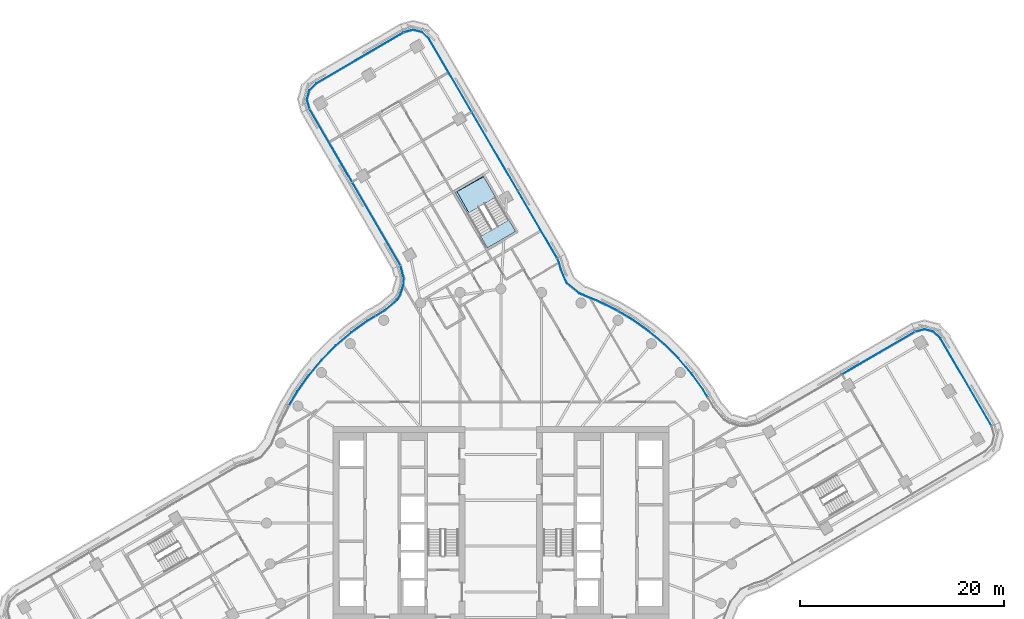
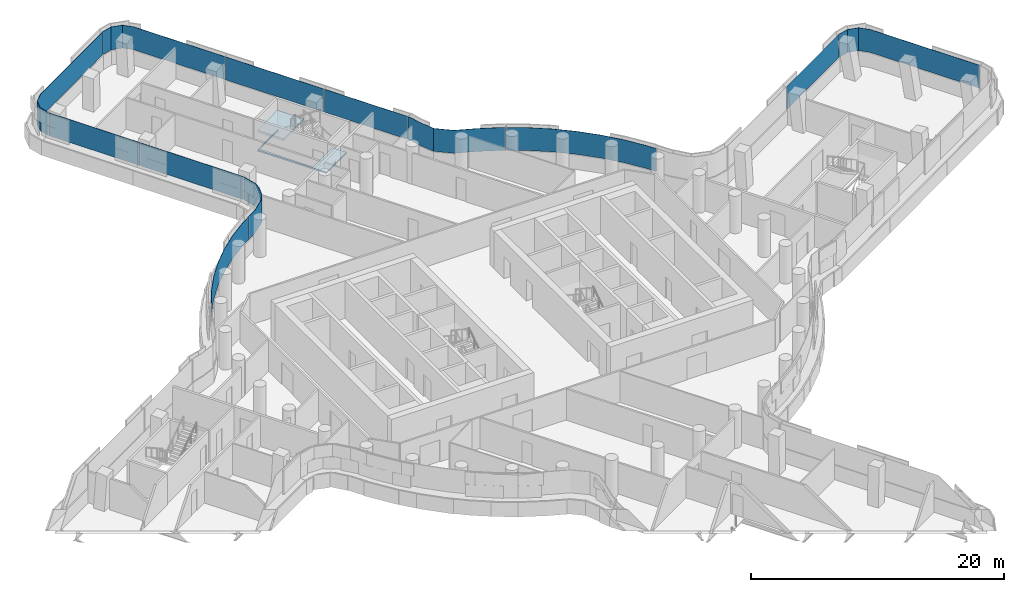
# One storey, part 20 of 35: 12 plates, 2 slabs, 8 elements without a shape of their own.
"""IFC4 building model written with IfcOpenShell, lengths in metres."""

from ifc_helpers import new_model, si_unit, direction, frame, origin, place, context, subcontext, project, spatial, polyline, outline, extrude, material, layer, layer_set, type_object, element, aggregate, save


model = new_model("IFC4")

# Units and contexts
model_context = context("Model", 3, precision=1e-05, world=origin(), true_north=direction((0.0, 1.0)))
body_context = subcontext(model_context, "Body", "Model", "MODEL_VIEW")
ifc_project = project(units=[si_unit("LENGTHUNIT", "METRE"), si_unit("AREAUNIT", "SQUARE_METRE"), si_unit("VOLUMEUNIT", "CUBIC_METRE"), si_unit("PLANEANGLEUNIT", "RADIAN"), si_unit("MASSUNIT", "GRAM", prefix="KILO")], contexts=[model_context])

# Site, building, storey
site_placement = place(None, origin())
site = spatial("IfcSite", under=ifc_project, at=site_placement, CompositionType="ELEMENT")
building_placement = place(site_placement, origin())
building = spatial("IfcBuilding", under=site, at=building_placement, Name="Tamarind Cross Interchange Tower", CompositionType="ELEMENT")
storey_placement = place(building_placement, frame((0.0, 0.0, 144.25)))
storey = spatial("IfcBuildingStorey", under=building, at=storey_placement, Name="L35", CompositionType="ELEMENT", Elevation=144.25)

# Slab
ifc_material_1 = material(Name="Concrete C35", Category="concrete")
ifc_layer_1 = layer(ifc_material_1, 0.139892578125)
ifc_layer_set_1 = layer_set([ifc_layer_1], Name="Concrete C35")
slab_type_1 = type_object("IfcSlabType", Name="Composite slab 140 Concrete C35", PredefinedType="FLOOR", material=ifc_layer_set_1)
slab_1_placement = place(storey_placement, frame((0.0, 0.0, -0.139892578125)))
element("IfcSlab", 1, at=slab_1_placement, inside=storey, type_object=slab_type_1, Name="Floor slab L35", PredefinedType="FLOOR", context=body_context, shape_type="SweptSolid", body=[
    extrude(outline(polyline([(-1.313720703125, 27.023193359375), (1.44921875, 28.6376953125), (0.787109375, 29.7705078125), (-1.876220703125, 28.21435546875), (-4.30078125, 32.54296875), (-1.68798828125, 34.00634765625), (-1.7294921875, 34.0771484375), (-4.4921875, 32.462890625), (-1.313720703125, 27.023193359375)])), origin(), (0.0, 0.0, 1.0), 0.139892578125),
])

# Stair, slab
ifc_material_2 = material(Name="Exit stair")
stair_type = type_object("IfcStairType", Name="Exit stair", PredefinedType="HALF_TURN_STAIR", material=ifc_material_2)
stair_placement = place(storey_placement, origin())
stair = element("IfcStair", 2, at=stair_placement, inside=storey, type_object=stair_type, Name="L35 exit stair ST4", PredefinedType="HALF_TURN_STAIR")
ifc_material_3 = material(Name="Concrete C40", Category="concrete")
ifc_layer_2 = layer(ifc_material_3, 0.199951171875)
ifc_layer_set_2 = layer_set([ifc_layer_2], Name="Concrete C40")
slab_type_2 = type_object("IfcSlabType", Name="Stair landing", PredefinedType="LANDING", material=ifc_layer_set_2)
slab_2_placement = place(storey_placement, frame((0.0, 0.0, 1.675048828125)))
slab_2 = element("IfcSlab", 3, at=slab_2_placement, type_object=slab_type_2, Name="ST4 landing 1", PredefinedType="LANDING", context=body_context, shape_type="SweptSolid", body=[
    extrude(outline(polyline([(-0.512451171875, 31.99462890625), (-1.7294921875, 34.0771484375), (-4.4921875, 32.462890625), (-3.275390625, 30.380126953125), (-0.512451171875, 31.99462890625)])), origin(), (0.0, 0.0, 1.0), 0.199951171875),
])
aggregate(stair, [slab_2])

# Curtain wall, plate
ifc_material_4 = material(Name="Aluminium 6063-T6", Category="aluminium")
ifc_layer_3 = layer(ifc_material_4, 0.159912109375)
ifc_layer_set_3 = layer_set([ifc_layer_3], Name="Aluminium 6063-T6")
curtain_wall_type = type_object("IfcCurtainWallType", Name="Office curtain wall, 9.0 m bays", PredefinedType="NOTDEFINED", material=ifc_layer_set_3)
curtain_wall_1_placement = place(storey_placement, origin())
curtain_wall_1 = element("IfcCurtainWall", 4, at=curtain_wall_1_placement, inside=storey, type_object=curtain_wall_type, Name="CWS-L35-08", PredefinedType="NOTDEFINED")
ifc_material_5 = material(Name="Laminated low-e glass 8+1.52+8", Category="glass")
ifc_layer_4 = layer(ifc_material_5, 0.028076171875)
ifc_layer_set_4 = layer_set([ifc_layer_4], Name="Laminated low-e glass 8+1.52+8")
plate_type = type_object("IfcPlateType", Name="Vision panel CW1", PredefinedType="CURTAIN_PANEL", material=ifc_layer_set_4)
plate_1_placement = place(storey_placement, frame((0.0, 0.0, 1.39990234375)))
plate_1 = element("IfcPlate", 5, at=plate_1_placement, type_object=plate_type, Name="CWP-L35-08-00", PredefinedType="CURTAIN_PANEL", context=body_context, shape_type="SweptSolid", body=[
    extrude(outline(polyline([(48.151611328125, 9.555419921875), (43.149169921875, 18.116455078125), (42.47412109375, 18.78466796875), (41.58349609375, 19.018310546875), (40.6943359375, 18.77490234375), (40.68701171875, 18.802001953125), (41.58349609375, 19.04736328125), (42.488525390625, 18.809814453125), (43.17138671875, 18.1337890625), (48.17578125, 9.569580078125), (48.151611328125, 9.555419921875)])), origin(), (0.0, 0.0, 1.0), 2.210205078125),
])
aggregate(curtain_wall_1, [plate_1])

curtain_wall_2_placement = place(storey_placement, origin())
curtain_wall_2 = element("IfcCurtainWall", 6, at=curtain_wall_2_placement, inside=storey, type_object=curtain_wall_type, Name="CWS-L35-09", PredefinedType="NOTDEFINED")
plate_2_placement = place(storey_placement, frame((0.0, 0.0, 1.39990234375)))
plate_2 = element("IfcPlate", 7, at=plate_2_placement, type_object=plate_type, Name="CWP-L35-09-00", PredefinedType="CURTAIN_PANEL", context=body_context, shape_type="SweptSolid", body=[
    extrude(outline(polyline([(40.642822265625, 18.75341796875), (33.5068359375, 14.603515625), (33.492919921875, 14.6279296875), (40.62890625, 18.777587890625), (40.642822265625, 18.75341796875)])), origin(), (0.0, 0.0, 1.0), 2.210205078125),
])
aggregate(curtain_wall_2, [plate_2])

# Curtain wall, plates
curtain_wall_3_placement = place(storey_placement, origin())
curtain_wall_3 = element("IfcCurtainWall", 8, at=curtain_wall_3_placement, inside=storey, type_object=curtain_wall_type, Name="CWS-L35-10", PredefinedType="NOTDEFINED")
plate_3_placement = place(storey_placement, frame((0.0, 0.0, 1.39990234375)))
plate_3 = element("IfcPlate", 9, at=plate_3_placement, type_object=plate_type, Name="CWP-L35-10-01", PredefinedType="CURTAIN_PANEL", context=body_context, shape_type="SweptSolid", body=[
    extrude(outline(polyline([(20.31005859375, 12.333740234375), (19.85302734375, 13.093017578125), (18.7041015625, 14.687744140625), (17.42724609375, 16.18212890625), (16.031494140625, 17.56591796875), (14.526123046875, 18.829833984375), (12.921630859375, 19.965087890625), (11.51220703125, 20.796630859375), (11.5263671875, 20.82080078125), (12.936767578125, 19.988525390625), (14.543212890625, 18.85205078125), (16.05029296875, 17.586669921875), (17.44775390625, 16.201171875), (18.72607421875, 14.705078125), (19.87646484375, 13.1083984375), (20.333984375, 12.34814453125), (20.31005859375, 12.333740234375)])), origin(), (0.0, 0.0, 1.0), 2.210205078125),
])
plate_4_placement = place(storey_placement, frame((0.0, 0.0, 1.39990234375)))
plate_4 = element("IfcPlate", 10, at=plate_4_placement, type_object=plate_type, Name="CWP-L35-10-02", PredefinedType="CURTAIN_PANEL", context=body_context, shape_type="SweptSolid", body=[
    extrude(outline(polyline([(11.46044921875, 20.8271484375), (11.228759765625, 20.9638671875), (9.457275390625, 21.820556640625), (7.715576171875, 22.531982421875), (6.461669921875, 23.5634765625), (5.89453125, 24.879150390625), (5.71142578125, 25.548583984375), (5.53125, 25.977294921875), (5.556884765625, 25.988037109375), (5.73779296875, 25.557861328125), (5.9208984375, 24.888427734375), (6.48486328125, 23.580810546875), (7.730224609375, 22.55615234375), (9.46875, 21.84619140625), (11.241943359375, 20.98876953125), (11.474853515625, 20.851318359375), (11.46044921875, 20.8271484375)])), origin(), (0.0, 0.0, 1.0), 2.210205078125),
])
aggregate(curtain_wall_3, [plate_3, plate_4])

curtain_wall_4_placement = place(storey_placement, origin())
curtain_wall_4 = element("IfcCurtainWall", 11, at=curtain_wall_4_placement, inside=storey, type_object=curtain_wall_type, Name="CWS-L35-11", PredefinedType="NOTDEFINED")
plate_5_placement = place(storey_placement, frame((0.0, 0.0, 1.39990234375)))
plate_5 = element("IfcPlate", 12, at=plate_5_placement, type_object=plate_type, Name="CWP-L35-11-00", PredefinedType="CURTAIN_PANEL", context=body_context, shape_type="SweptSolid", body=[
    extrude(outline(polyline([(5.505126953125, 26.029296875), (1.68603515625, 32.56494140625), (1.71044921875, 32.5791015625), (5.529296875, 26.043212890625), (5.505126953125, 26.029296875)])), origin(), (0.0, 0.0, 1.0), 2.210205078125),
])
plate_6_placement = place(storey_placement, frame((0.0, 0.0, 1.39990234375)))
plate_6 = element("IfcPlate", 13, at=plate_6_placement, type_object=plate_type, Name="CWP-L35-11-01", PredefinedType="CURTAIN_PANEL", context=body_context, shape_type="SweptSolid", body=[
    extrude(outline(polyline([(1.65576171875, 32.61669921875), (-2.847412109375, 40.3232421875), (-2.8232421875, 40.33740234375), (1.68017578125, 32.630859375), (1.65576171875, 32.61669921875)])), origin(), (0.0, 0.0, 1.0), 2.210205078125),
])
plate_7_placement = place(storey_placement, frame((0.0, 0.0, 1.39990234375)))
plate_7 = element("IfcPlate", 14, at=plate_7_placement, type_object=plate_type, Name="CWP-L35-11-02", PredefinedType="CURTAIN_PANEL", context=body_context, shape_type="SweptSolid", body=[
    extrude(outline(polyline([(-2.877685546875, 40.375), (-7.049560546875, 47.514892578125), (-7.724609375, 48.182861328125), (-8.614990234375, 48.41650390625), (-9.504150390625, 48.17333984375), (-9.511474609375, 48.2001953125), (-8.615234375, 48.445556640625), (-7.710205078125, 48.2080078125), (-7.02734375, 47.531982421875), (-2.853515625, 40.38916015625), (-2.877685546875, 40.375)])), origin(), (0.0, 0.0, 1.0), 2.210205078125),
])
aggregate(curtain_wall_4, [plate_5, plate_6, plate_7])

# Curtain wall, plate
curtain_wall_5_placement = place(storey_placement, origin())
curtain_wall_5 = element("IfcCurtainWall", 15, at=curtain_wall_5_placement, inside=storey, type_object=curtain_wall_type, Name="CWS-L35-12", PredefinedType="NOTDEFINED")
plate_8_placement = place(storey_placement, frame((0.0, 0.0, 1.39990234375)))
plate_8 = element("IfcPlate", 16, at=plate_8_placement, type_object=plate_type, Name="CWP-L35-12-00", PredefinedType="CURTAIN_PANEL", context=body_context, shape_type="SweptSolid", body=[
    extrude(outline(polyline([(-9.555419921875, 48.151611328125), (-18.116455078125, 43.149169921875), (-18.78466796875, 42.47412109375), (-19.018310546875, 41.58349609375), (-18.77490234375, 40.6943359375), (-18.802001953125, 40.68701171875), (-19.04736328125, 41.58349609375), (-18.809814453125, 42.488525390625), (-18.1337890625, 43.17138671875), (-9.569580078125, 48.17578125), (-9.555419921875, 48.151611328125)])), origin(), (0.0, 0.0, 1.0), 2.210205078125),
])
aggregate(curtain_wall_5, [plate_8])

# Curtain wall, plates
curtain_wall_6_placement = place(storey_placement, origin())
curtain_wall_6 = element("IfcCurtainWall", 17, at=curtain_wall_6_placement, inside=storey, type_object=curtain_wall_type, Name="CWS-L35-13", PredefinedType="NOTDEFINED")
plate_9_placement = place(storey_placement, frame((0.0, 0.0, 1.39990234375)))
plate_9 = element("IfcPlate", 18, at=plate_9_placement, type_object=plate_type, Name="CWP-L35-13-00", PredefinedType="CURTAIN_PANEL", context=body_context, shape_type="SweptSolid", body=[
    extrude(outline(polyline([(-18.75341796875, 40.642822265625), (-14.603515625, 33.5068359375), (-14.6279296875, 33.492919921875), (-18.777587890625, 40.62890625), (-18.75341796875, 40.642822265625)])), origin(), (0.0, 0.0, 1.0), 2.210205078125),
])
plate_10_placement = place(storey_placement, frame((0.0, 0.0, 1.39990234375)))
plate_10 = element("IfcPlate", 19, at=plate_10_placement, type_object=plate_type, Name="CWP-L35-13-01", PredefinedType="CURTAIN_PANEL", context=body_context, shape_type="SweptSolid", body=[
    extrude(outline(polyline([(-14.573486328125, 33.455078125), (-9.850341796875, 25.3330078125), (-9.87451171875, 25.31884765625), (-14.59765625, 33.44091796875), (-14.573486328125, 33.455078125)])), origin(), (0.0, 0.0, 1.0), 2.210205078125),
])
aggregate(curtain_wall_6, [plate_9, plate_10])

curtain_wall_7_placement = place(storey_placement, origin())
curtain_wall_7 = element("IfcCurtainWall", 20, at=curtain_wall_7_placement, inside=storey, type_object=curtain_wall_type, Name="CWS-L35-14", PredefinedType="NOTDEFINED")
plate_11_placement = place(storey_placement, frame((0.0, 0.0, 1.39990234375)))
plate_11 = element("IfcPlate", 21, at=plate_11_placement, type_object=plate_type, Name="CWP-L35-14-00", PredefinedType="CURTAIN_PANEL", context=body_context, shape_type="SweptSolid", body=[
    extrude(outline(polyline([(-9.826171875, 25.2744140625), (-9.51416015625, 24.076416015625), (-9.525634765625, 23.486328125), (-9.853271484375, 22.403076171875), (-10.17236328125, 21.902587890625), (-11.398193359375, 20.873046875), (-12.2822265625, 20.341064453125), (-12.296630859375, 20.364990234375), (-11.41455078125, 20.895751953125), (-10.19384765625, 21.92138671875), (-9.87890625, 22.414794921875), (-9.5537109375, 23.49072265625), (-9.542236328125, 24.072998046875), (-9.853271484375, 25.267333984375), (-9.826171875, 25.2744140625)])), origin(), (0.0, 0.0, 1.0), 2.210205078125),
])
plate_12_placement = place(storey_placement, frame((0.0, 0.0, 1.39990234375)))
plate_12 = element("IfcPlate", 22, at=plate_12_placement, type_object=plate_type, Name="CWP-L35-14-01", PredefinedType="CURTAIN_PANEL", context=body_context, shape_type="SweptSolid", body=[
    extrude(outline(polyline([(-12.333740234375, 20.31005859375), (-13.093017578125, 19.85302734375), (-14.687744140625, 18.7041015625), (-16.18212890625, 17.42724609375), (-17.56591796875, 16.031494140625), (-18.829833984375, 14.526123046875), (-19.965087890625, 12.921630859375), (-20.796630859375, 11.51220703125), (-20.82080078125, 11.5263671875), (-19.988525390625, 12.936767578125), (-18.85205078125, 14.543212890625), (-17.586669921875, 16.05029296875), (-16.201171875, 17.44775390625), (-14.705078125, 18.72607421875), (-13.1083984375, 19.87646484375), (-12.34814453125, 20.333984375), (-12.333740234375, 20.31005859375)])), origin(), (0.0, 0.0, 1.0), 2.210205078125),
])
aggregate(curtain_wall_7, [plate_11, plate_12])

save(model, "model.ifc")
